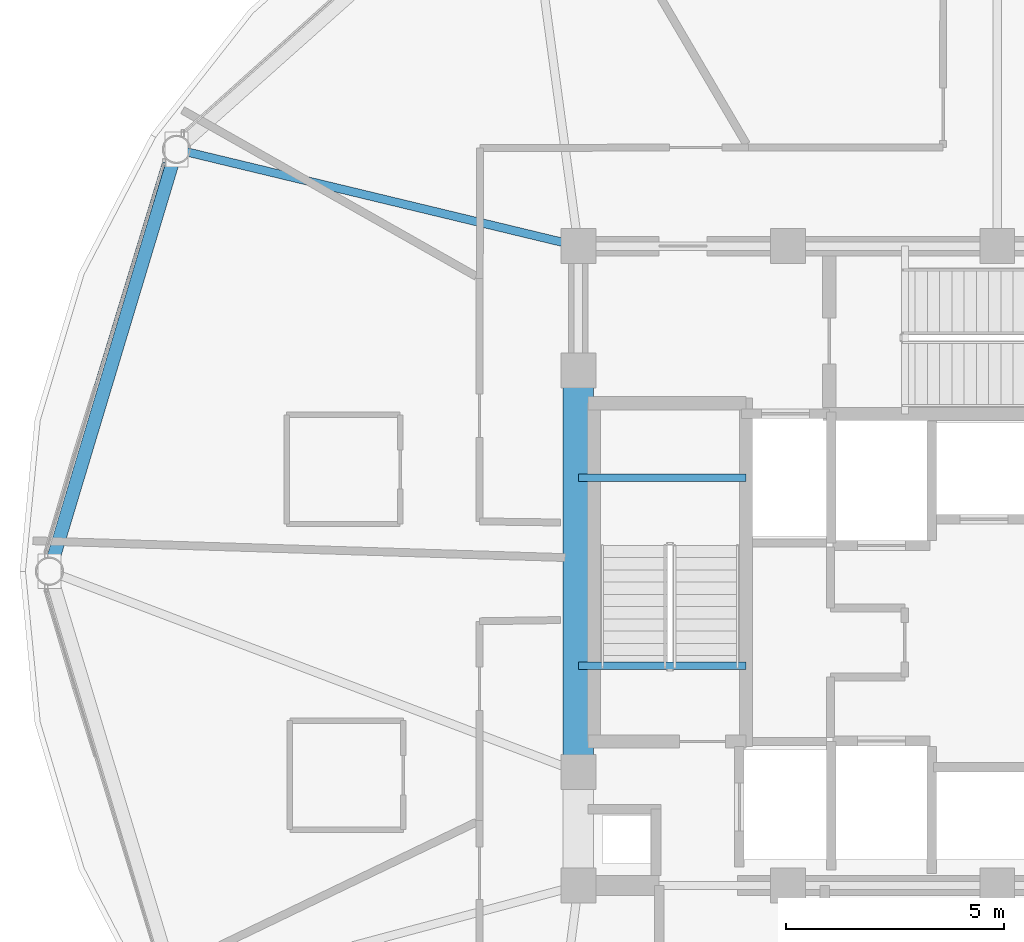
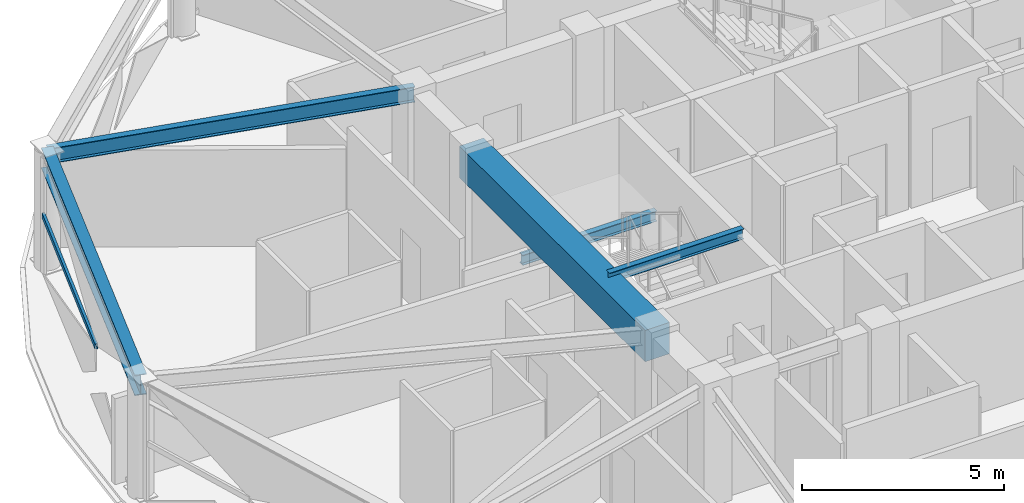
# One storey, part 8 of 28: 5 beams, 1 member, 1 element without a shape of its own.
"""IFC4 building model written with IfcOpenShell, lengths in metres."""

from ifc_helpers import new_model, si_unit, direction, frame, origin, origin_2d, place, context, subcontext, project, spatial, rectangle, hollow_rectangle, i_section, extrude, material, layer, layer_set, material_profile, profile_set, type_object, element, aggregate, save


model = new_model("IFC4")

# Units and contexts
model_context = context("Model", 3, precision=1e-05, world=origin(), true_north=direction((0.0, 1.0)))
body_context = subcontext(model_context, "Body", "Model", "MODEL_VIEW")
ifc_project = project(units=[si_unit("LENGTHUNIT", "METRE"), si_unit("AREAUNIT", "SQUARE_METRE"), si_unit("VOLUMEUNIT", "CUBIC_METRE"), si_unit("PLANEANGLEUNIT", "RADIAN"), si_unit("MASSUNIT", "GRAM", prefix="KILO")], contexts=[model_context])

# Site, building, storey
site_placement = place(None, origin())
site = spatial("IfcSite", under=ifc_project, at=site_placement, CompositionType="ELEMENT")
building_placement = place(site_placement, origin())
building = spatial("IfcBuilding", under=site, at=building_placement, Name="Vantalir Tower", CompositionType="ELEMENT")
storey_placement = place(building_placement, frame((0.0, 0.0, 238.64990234375)))
storey = spatial("IfcBuildingStorey", under=building, at=storey_placement, Name="L60", CompositionType="ELEMENT", Elevation=238.64990234375)

# Beams
ifc_material_1 = material(Name="Concrete C60/75", Category="concrete")
ifc_material_profile_1 = material_profile(ifc_material_1, rectangle(XDim=0.699951171875, YDim=0.949951171875, at=origin_2d()), Name="Concrete C60/75")
ifc_profile_set_1 = profile_set([ifc_material_profile_1], Name="Concrete C60/75")
beam_type_1 = type_object("IfcBeamType", Name="BM-CB-700x950", PredefinedType="USERDEFINED", material=ifc_profile_set_1)
beam_1_placement = place(storey_placement, frame((21.89990234375, 29.60009765625, 3.09521484375), z_axis=(0.0, -1.0, 0.0), x_axis=(1.0, 0.0, 0.0)))
element("IfcBeam", 1, at=beam_1_placement, inside=storey, type_object=beam_type_1, Name="L60 Core Coupling Girder 13", ObjectType="GIRDER", PredefinedType="USERDEFINED", context=body_context, shape_type="SweptSolid", body=[
    extrude(rectangle(XDim=0.699951171875, YDim=0.949951171875, at=origin_2d()), origin(), (0.0, 0.0, 1.0), 9.2001953125),
])
ifc_material_2 = material(Name="Steel S355", Category="steel")
ifc_material_profile_2 = material_profile(ifc_material_2, i_section(OverallWidth=0.166015625, OverallDepth=0.306884765625, WebThickness=0.006591796875, FlangeThickness=0.01171875, at=origin_2d()), Name="Steel S355")
ifc_profile_set_2 = profile_set([ifc_material_profile_2], Name="Steel S355")
beam_type_2 = type_object("IfcBeamType", Name="BM-JS-305x165", PredefinedType="JOIST", material=ifc_profile_set_2)
for number, where, z_axis, x_axis, name in (
    (2, (21.89990234375, 22.8349609375, 3.59619140625), (1.0, 0.0, 0.0), (0.0, 1.0, 0.0), "L61 Stair ST1 Well Nosing Trimmer Beam"),
    (3, (21.89990234375, 27.14501953125, 1.52099609375), (1.0, 0.0, 0.0), (0.0, 1.0, 0.0), "L60 Stair ST1 Half-Landing Support Beam"),
):
    element("IfcBeam", number, at=place(storey_placement, frame(where, z_axis=z_axis, x_axis=x_axis)), inside=storey, type_object=beam_type_2, Name=name, PredefinedType="JOIST", context=body_context, shape_type="SweptSolid", body=[
        extrude(i_section(OverallWidth=0.166015625, OverallDepth=0.306884765625, WebThickness=0.006591796875, FlangeThickness=0.01171875, at=origin_2d()), origin(), (0.0, 0.0, 1.0), 3.840087890625),
    ])
ifc_material_profile_3 = material_profile(ifc_material_2, i_section(OverallWidth=0.19189453125, OverallDepth=0.462890625, WebThickness=0.010498046875, FlangeThickness=0.017578125, at=origin_2d()), Name="Steel S355")
ifc_profile_set_3 = profile_set([ifc_material_profile_3], Name="Steel S355")
beam_type_3 = type_object("IfcBeamType", Name="BM-RB-457x191", PredefinedType="BEAM", material=ifc_profile_set_3)
beam_2_placement = place(storey_placement, frame((12.69189453125, 34.666015625, 3.338134765625), z_axis=(0.972239928785, -0.233986155308, 0.0), x_axis=(0.233986155308, 0.972239928785, 0.0)))
element("IfcBeam", 4, at=beam_2_placement, inside=storey, type_object=beam_type_3, Name="L60 Radial Floor Beam 06", PredefinedType="BEAM", context=body_context, shape_type="SweptSolid", body=[
    extrude(i_section(OverallWidth=0.19189453125, OverallDepth=0.462890625, WebThickness=0.010498046875, FlangeThickness=0.017578125, at=origin_2d()), origin(), (0.0, 0.0, 1.0), 9.470947265625),
])
ifc_material_3 = material(Name="Steel S460", Category="steel")
ifc_material_profile_4 = material_profile(ifc_material_3, i_section(OverallWidth=0.306884765625, OverallDepth=0.6201171875, WebThickness=0.01416015625, FlangeThickness=0.023681640625, at=origin_2d()), Name="Steel S460")
ifc_profile_set_4 = profile_set([ifc_material_profile_4], Name="Steel S460")
beam_type_4 = type_object("IfcBeamType", Name="BM-RG-610x305", PredefinedType="USERDEFINED", material=ifc_profile_set_4)
beam_3_placement = place(storey_placement, frame((12.69189453125, 34.666015625, 3.260009765625), z_axis=(-0.288266356679, -0.95755026375, 0.0), x_axis=(0.95755026375, -0.288266356679, 0.0)))
element("IfcBeam", 5, at=beam_3_placement, inside=storey, type_object=beam_type_4, Name="L60 Circumferential Ring Girder 06", ObjectType="GIRDER", PredefinedType="USERDEFINED", context=body_context, shape_type="SweptSolid", body=[
    extrude(i_section(OverallWidth=0.306884765625, OverallDepth=0.6201171875, WebThickness=0.01416015625, FlangeThickness=0.023681640625, at=origin_2d()), origin(), (0.0, 0.0, 1.0), 10.094482421875),
])

# Curtain wall, member
ifc_material_4 = material(Name="Champagne-silver PVDF aluminium and double-silver Low-E glass", Category="aluminium")
ifc_layer = layer(ifc_material_4, 0.2099609375)
ifc_layer_set = layer_set([ifc_layer], Name="Champagne-silver PVDF aluminium and double-silver Low-E glass")
curtain_wall_type = type_object("IfcCurtainWallType", Name="CW-DIAMOND-Z3", PredefinedType="USERDEFINED", material=ifc_layer_set)
curtain_wall_placement = place(storey_placement, origin())
curtain_wall = element("IfcCurtainWall", 6, at=curtain_wall_placement, inside=storey, type_object=curtain_wall_type, Name="L60 Quilted Pyramid-Diamond Curtain Wall S06", ObjectType="UNITISED CURTAIN WALL", PredefinedType="USERDEFINED")
ifc_material_5 = material(Name="Champagne-silver PVDF aluminium 6063-T6", Category="aluminium")
ifc_material_profile_5 = material_profile(ifc_material_5, hollow_rectangle(XDim=0.074951171875, YDim=0.159912109375, WallThickness=0.00390625, at=origin_2d()), Name="Champagne-silver PVDF aluminium 6063-T6")
ifc_profile_set_5 = profile_set([ifc_material_profile_5], Name="Champagne-silver PVDF aluminium 6063-T6")
member_type = type_object("IfcMemberType", Name="CWT-160x75", PredefinedType="USERDEFINED", material=ifc_profile_set_5)
member_placement = place(storey_placement, frame((12.408935546875, 34.367919921875, 1.78515625), z_axis=(-0.291933630307, -0.95643857905, 0.0), x_axis=(0.95643857905, -0.291933630307, 0.0)))
member = element("IfcMember", 7, at=member_placement, type_object=member_type, Name="CW-L60-S06 Pyramid Fold Ridge Transom", ObjectType="TRANSOM", PredefinedType="USERDEFINED", context=body_context, shape_type="SweptSolid", body=[
    extrude(hollow_rectangle(XDim=0.074951171875, YDim=0.159912109375, WallThickness=0.00390625, at=origin_2d()), origin(), (0.0, 0.0, 1.0), 5.81298828125),
])
aggregate(curtain_wall, [member])

save(model, "model.ifc")
